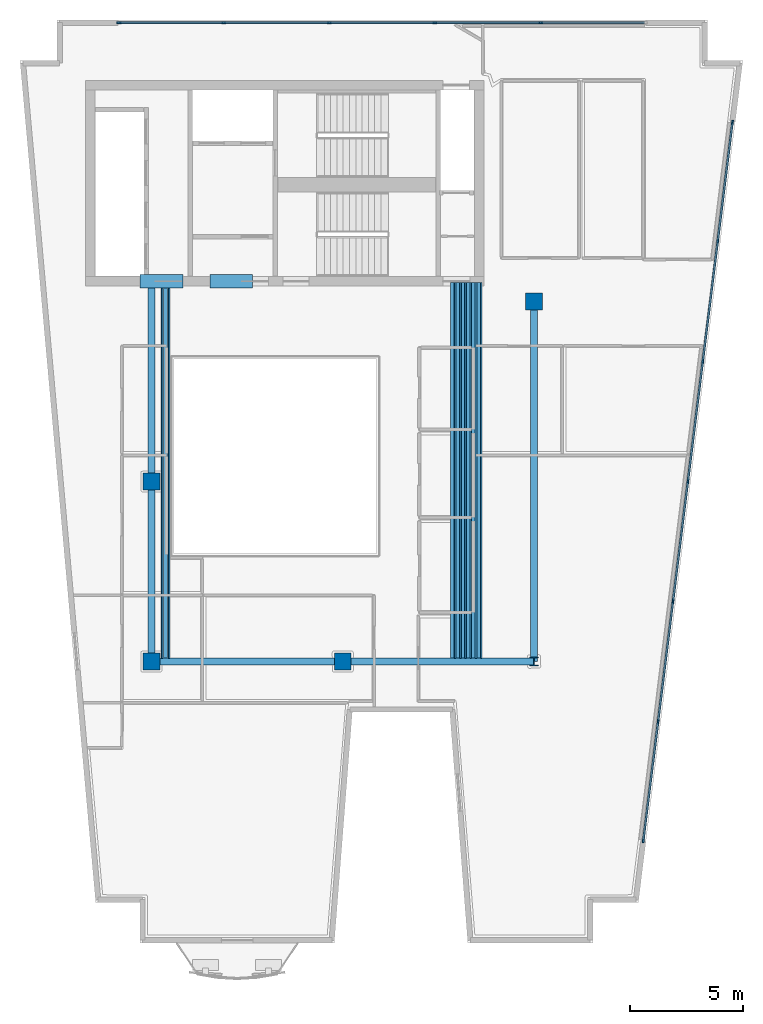
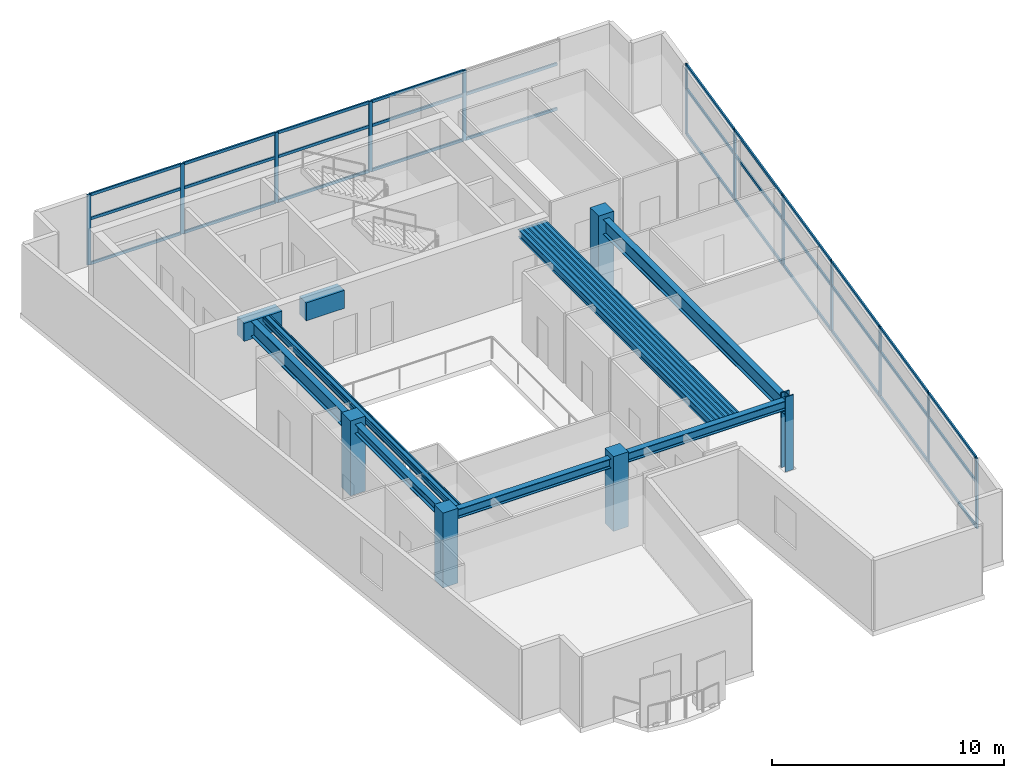
# One storey, part 1 of 8: 44 members, 22 beams, 5 columns, 2 elements without a shape of their own.
"""IFC4 building model written with IfcOpenShell, lengths in metres."""

from ifc_helpers import new_model, si_unit, direction, frame, origin, origin_2d, place, context, subcontext, project, spatial, rectangle, hollow_rectangle, i_section, extrude, material, layer, layer_set, material_profile, profile_set, type_object, element, aggregate, save


model = new_model("IFC4")

# Units and contexts
model_context = context("Model", 3, precision=1e-05, world=origin(), true_north=direction((0.0, 1.0)))
body_context = subcontext(model_context, "Body", "Model", "MODEL_VIEW")
ifc_project = project(units=[si_unit("LENGTHUNIT", "METRE"), si_unit("AREAUNIT", "SQUARE_METRE"), si_unit("VOLUMEUNIT", "CUBIC_METRE"), si_unit("PLANEANGLEUNIT", "RADIAN"), si_unit("MASSUNIT", "GRAM", prefix="KILO")], contexts=[model_context])

# Site, building, storey
site_placement = place(None, origin())
site = spatial("IfcSite", under=ifc_project, at=site_placement, CompositionType="ELEMENT")
building_placement = place(site_placement, origin())
building = spatial("IfcBuilding", under=site, at=building_placement, Name="Caeloran Harvest Quay", CompositionType="ELEMENT")
storey_placement = place(building_placement, frame((0.0, 0.0, 272.5)))
storey = spatial("IfcBuildingStorey", under=building, at=storey_placement, Name="L65", CompositionType="ELEMENT", Elevation=272.5)

# Columns
ifc_material_1 = material(Name="Concrete C60/75", Category="concrete")
ifc_material_profile_1 = material_profile(ifc_material_1, rectangle(XDim=0.75, YDim=0.75, at=origin_2d()), Name="RC 750x750")
ifc_profile_set_1 = profile_set([ifc_material_profile_1], Name="Concrete C60/75")
column_type_1 = type_object("IfcColumnType", Name="COL-MC-5-RC_750x750", PredefinedType="COLUMN", material=ifc_profile_set_1)
for number, where, z_axis, x_axis, name in (
    (1, (8.5, 15.0, 0.0), (0.0, 0.0, 1.0), (1.0, 0.0, 0.0), "L65 Structural Column (8.5, 15.0)"),
    (2, (8.5, 23.0, 0.0), (0.0, 0.0, 1.0), (1.0, 0.0, 0.0), "L65 Structural Column (8.5, 23.0)"),
    (3, (17.0, 15.0, 0.0), (0.0, 0.0, 1.0), (1.0, 0.0, 0.0), "L65 Structural Column (17.0, 15.0)"),
    (4, (25.5, 31.0, 0.0), (0.0, 0.0, 1.0), (1.0, 0.0, 0.0), "L65 Structural Column (25.5, 31.0)"),
):
    element("IfcColumn", number, at=place(storey_placement, frame(where, z_axis=z_axis, x_axis=x_axis)), inside=storey, type_object=column_type_1, Name=name, PredefinedType="COLUMN", context=body_context, shape_type="SweptSolid", body=[
        extrude(rectangle(XDim=0.75, YDim=0.75, at=origin_2d()), origin(), (0.0, 0.0, 1.0), 3.949951171875),
    ])
ifc_material_2 = material(Name="Steel HISTAR 460", Category="steel")
ifc_material_profile_2 = material_profile(ifc_material_2, i_section(OverallWidth=0.406005859375, OverallDepth=0.416015625, WebThickness=0.02978515625, FlangeThickness=0.048095703125, FilletRadius=0.014892578125, at=origin_2d()), Name="HD 400x382")
ifc_profile_set_2 = profile_set([ifc_material_profile_2], Name="Steel HISTAR 460")
column_type_2 = type_object("IfcColumnType", Name="COL-SC-5-HD_400x382", PredefinedType="COLUMN", material=ifc_profile_set_2)
column_placement = place(storey_placement, frame((25.5, 15.0, 0.0), z_axis=(0.0, 0.0, 1.0), x_axis=(1.0, 0.0, 0.0)))
element("IfcColumn", 5, at=column_placement, inside=storey, type_object=column_type_2, Name="L65 Structural Column (25.5, 15.0)", PredefinedType="COLUMN", context=body_context, shape_type="SweptSolid", body=[
    extrude(i_section(OverallWidth=0.406005859375, OverallDepth=0.416015625, WebThickness=0.02978515625, FlangeThickness=0.048095703125, FilletRadius=0.014892578125, at=origin_2d()), origin(), (0.0, 0.0, 1.0), 3.949951171875),
])

# Beams
ifc_material_profile_3 = material_profile(ifc_material_1, rectangle(XDim=0.60009765625, YDim=0.949951171875, at=origin_2d()), Name="RC 600x950")
ifc_profile_set_3 = profile_set([ifc_material_profile_3], Name="Concrete C60/75")
beam_type_1 = type_object("IfcBeamType", Name="BM-CB-2-RC_600x950", PredefinedType="LINTEL", material=ifc_profile_set_3)
for number, where, z_axis, x_axis, name in (
    (6, (8.0, 31.889892578125, 3.22509765625), (1.0, 0.0, 0.0), (0.0, 1.0, 0.0), "L65 Core Coupling Beam 1"),
    (7, (11.10009765625, 31.889892578125, 3.22509765625), (1.0, 0.0, 0.0), (0.0, 1.0, 0.0), "L65 Core Coupling Beam 2"),
):
    element("IfcBeam", number, at=place(storey_placement, frame(where, z_axis=z_axis, x_axis=x_axis)), inside=storey, type_object=beam_type_1, Name=name, PredefinedType="LINTEL", context=body_context, shape_type="SweptSolid", body=[
        extrude(rectangle(XDim=0.60009765625, YDim=0.949951171875, at=origin_2d()), origin(), (0.0, 0.0, 1.0), 1.89990234375),
    ])
ifc_material_3 = material(Name="Steel S355J2", Category="steel")
ifc_material_profile_4 = material_profile(ifc_material_3, i_section(OverallWidth=0.300048828125, OverallDepth=0.800048828125, WebThickness=0.017578125, FlangeThickness=0.032958984375, FilletRadius=0.030029296875, at=origin_2d()), Name="HE 800 B")
ifc_profile_set_4 = profile_set([ifc_material_profile_4], Name="Steel S355J2")
beam_type_2 = type_object("IfcBeamType", Name="BM-PG-1-HE_800_B", PredefinedType="BEAM", material=ifc_profile_set_4)
beam_1_placement = place(storey_placement, frame((8.5, 23.0, 3.300048828125), z_axis=(0.0, 1.0, 0.0), x_axis=(-1.0, 0.0, 0.0)))
element("IfcBeam", 8, at=beam_1_placement, inside=storey, type_object=beam_type_2, Name="L65 Core South Tie Girder X=8.5", PredefinedType="BEAM", context=body_context, shape_type="SweptSolid", body=[
    extrude(i_section(OverallWidth=0.300048828125, OverallDepth=0.800048828125, WebThickness=0.017578125, FlangeThickness=0.032958984375, FilletRadius=0.030029296875, at=origin_2d()), origin(), (0.0, 0.0, 1.0), 8.840087890625),
])
beam_2_placement = place(storey_placement, frame((25.5, 15.0, 3.300048828125), z_axis=(0.0, 1.0, 0.0), x_axis=(-1.0, 0.0, 0.0)))
element("IfcBeam", 9, at=beam_2_placement, inside=storey, type_object=beam_type_2, Name="L65 Primary North-South Girder X=25.5", PredefinedType="BEAM", context=body_context, shape_type="SweptSolid", body=[
    extrude(i_section(OverallWidth=0.300048828125, OverallDepth=0.800048828125, WebThickness=0.017578125, FlangeThickness=0.032958984375, FilletRadius=0.030029296875, at=origin_2d()), origin(), (0.0, 0.0, 1.0), 16.0),
])
ifc_material_profile_5 = material_profile(ifc_material_3, i_section(OverallWidth=0.300048828125, OverallDepth=0.5, WebThickness=0.014404296875, FlangeThickness=0.028076171875, FilletRadius=0.027099609375, at=origin_2d()), Name="HE 500 B")
ifc_profile_set_5 = profile_set([ifc_material_profile_5], Name="Steel S355J2")
beam_type_3 = type_object("IfcBeamType", Name="BM-PG-4-HE_500_B", PredefinedType="BEAM", material=ifc_profile_set_5)
for number, where, z_axis, x_axis, name in (
    (10, (8.5, 15.0, 3.449951171875), (1.0, 0.0, 0.0), (0.0, 1.0, 0.0), "L65 Primary East-West Girder Y=15.0"),
    (11, (17.0, 15.0, 3.449951171875), (1.0, 0.0, 0.0), (0.0, 1.0, 0.0), "L65 Primary East-West Girder Y=15.0"),
):
    element("IfcBeam", number, at=place(storey_placement, frame(where, z_axis=z_axis, x_axis=x_axis)), inside=storey, type_object=beam_type_3, Name=name, PredefinedType="BEAM", context=body_context, shape_type="SweptSolid", body=[
        extrude(i_section(OverallWidth=0.300048828125, OverallDepth=0.5, WebThickness=0.014404296875, FlangeThickness=0.028076171875, FilletRadius=0.027099609375, at=origin_2d()), origin(), (0.0, 0.0, 1.0), 8.5),
    ])
beam_3_placement = place(storey_placement, frame((8.5, 15.0, 3.449951171875), z_axis=(0.0, 1.0, 0.0), x_axis=(-1.0, 0.0, 0.0)))
element("IfcBeam", 12, at=beam_3_placement, inside=storey, type_object=beam_type_3, Name="L65 Primary North-South Girder X=8.5", PredefinedType="BEAM", context=body_context, shape_type="SweptSolid", body=[
    extrude(i_section(OverallWidth=0.300048828125, OverallDepth=0.5, WebThickness=0.014404296875, FlangeThickness=0.028076171875, FilletRadius=0.027099609375, at=origin_2d()), origin(), (0.0, 0.0, 1.0), 8.0),
])
ifc_material_profile_6 = material_profile(ifc_material_3, i_section(OverallWidth=0.179931640625, OverallDepth=0.39990234375, WebThickness=0.008544921875, FlangeThickness=0.013427734375, FilletRadius=0.02099609375, at=origin_2d()), Name="IPE 400")
ifc_profile_set_6 = profile_set([ifc_material_profile_6], Name="Steel S355J2")
beam_type_4 = type_object("IfcBeamType", Name="BM-SB-4-IPE_400", PredefinedType="JOIST", material=ifc_profile_set_6)
for number, where, z_axis, x_axis, name in (
    (13, (9.129638671875, 15.14501953125, 3.5), (0.0, 1.0, 0.0), (-1.0, 0.0, 0.0), "L65 Secondary Composite Joist"),
    (14, (21.876708984375, 15.14501953125, 3.5), (0.0, 1.0, 0.0), (-1.0, 0.0, 0.0), "L65 Secondary Composite Joist"),
    (15, (22.10888671875, 15.14501953125, 3.5), (0.0, 1.0, 0.0), (-1.0, 0.0, 0.0), "L65 Secondary Composite Joist"),
    (16, (22.341064453125, 15.14501953125, 3.5), (0.0, 1.0, 0.0), (-1.0, 0.0, 0.0), "L65 Secondary Composite Joist"),
    (17, (22.5732421875, 15.14501953125, 3.5), (0.0, 1.0, 0.0), (-1.0, 0.0, 0.0), "L65 Secondary Composite Joist"),
    (18, (22.8056640625, 15.14501953125, 3.5), (0.0, 1.0, 0.0), (-1.0, 0.0, 0.0), "L65 Secondary Composite Joist"),
    (19, (23.037841796875, 15.14501953125, 3.5), (0.0, 1.0, 0.0), (-1.0, 0.0, 0.0), "L65 Secondary Composite Joist"),
):
    element("IfcBeam", number, at=place(storey_placement, frame(where, z_axis=z_axis, x_axis=x_axis)), inside=storey, type_object=beam_type_4, Name=name, PredefinedType="JOIST", context=body_context, shape_type="SweptSolid", body=[
        extrude(i_section(OverallWidth=0.179931640625, OverallDepth=0.39990234375, WebThickness=0.008544921875, FlangeThickness=0.013427734375, FilletRadius=0.02099609375, at=origin_2d()), origin(), (0.0, 0.0, 1.0), 16.695068359375),
    ])
ifc_material_profile_7 = material_profile(ifc_material_3, hollow_rectangle(XDim=0.080078125, YDim=0.199951171875, WallThickness=0.006103515625, InnerFilletRadius=0.006103515625, OuterFilletRadius=0.009033203125, at=origin_2d()), Name="RHS 200x80x6")
ifc_profile_set_7 = profile_set([ifc_material_profile_7], Name="Steel S355J2")
beam_type_5 = type_object("IfcBeamType", Name="BM-SB-7-RHS_200x80x6", PredefinedType="JOIST", material=ifc_profile_set_7)
for number, where, z_axis, x_axis, name in (
    (20, (8.97216796875, 15.14501953125, 3.60009765625), (0.0, 1.0, 0.0), (-1.0, 0.0, 0.0), "L65 Secondary Composite Joist"),
    (21, (9.287109375, 15.14501953125, 3.60009765625), (0.0, 1.0, 0.0), (-1.0, 0.0, 0.0), "L65 Secondary Composite Joist"),
    (22, (21.992919921875, 15.14501953125, 3.60009765625), (0.0, 1.0, 0.0), (-1.0, 0.0, 0.0), "L65 Secondary Composite Joist"),
    (23, (22.22509765625, 15.14501953125, 3.60009765625), (0.0, 1.0, 0.0), (-1.0, 0.0, 0.0), "L65 Secondary Composite Joist"),
    (24, (22.457275390625, 15.14501953125, 3.60009765625), (0.0, 1.0, 0.0), (-1.0, 0.0, 0.0), "L65 Secondary Composite Joist"),
    (25, (22.689453125, 15.14501953125, 3.60009765625), (0.0, 1.0, 0.0), (-1.0, 0.0, 0.0), "L65 Secondary Composite Joist"),
    (26, (22.921630859375, 15.14501953125, 3.60009765625), (0.0, 1.0, 0.0), (-1.0, 0.0, 0.0), "L65 Secondary Composite Joist"),
    (27, (23.15380859375, 15.14501953125, 3.60009765625), (0.0, 1.0, 0.0), (-1.0, 0.0, 0.0), "L65 Secondary Composite Joist"),
):
    element("IfcBeam", number, at=place(storey_placement, frame(where, z_axis=z_axis, x_axis=x_axis)), inside=storey, type_object=beam_type_5, Name=name, PredefinedType="JOIST", context=body_context, shape_type="SweptSolid", body=[
        extrude(hollow_rectangle(XDim=0.080078125, YDim=0.199951171875, WallThickness=0.006103515625, InnerFilletRadius=0.006103515625, OuterFilletRadius=0.009033203125, at=origin_2d()), origin(), (0.0, 0.0, 1.0), 16.695068359375),
    ])

# Curtain wall, members
ifc_material_4 = material(Name="Aluminium 6063-T6 and Low-E Glazing", Category="aluminium")
ifc_layer = layer(ifc_material_4, 0.219970703125, Name="Aluminium 6063-T6 and Low-E Glazing")
ifc_layer_set = layer_set([ifc_layer], Name="Aluminium 6063-T6 and Low-E Glazing")
curtain_wall_type = type_object("IfcCurtainWallType", Name="CW-SYS-CW-5", PredefinedType="USERDEFINED", material=ifc_layer_set)
curtain_wall_1_placement = place(storey_placement, origin())
curtain_wall_1 = element("IfcCurtainWall", 28, at=curtain_wall_1_placement, inside=storey, type_object=curtain_wall_type, Name="L65 Unitised Curtain Wall CW-5 Run 6", ObjectType="CURTAIN_WALL", PredefinedType="USERDEFINED")
ifc_material_5 = material(Name="Aluminium 6063-T6", Category="aluminium")
ifc_material_profile_8 = material_profile(ifc_material_5, rectangle(XDim=0.080078125, YDim=0.179931640625, at=origin_2d()), Name="CW-MULLION-180")
ifc_profile_set_8 = profile_set([ifc_material_profile_8], Name="Aluminium 6063-T6")
member_type_1 = type_object("IfcMemberType", Name="CW-MULLION-180", PredefinedType="MULLION", material=ifc_profile_set_8)
member_1_placement = place(storey_placement, frame((7.06005859375, 43.3798828125, 0.0), z_axis=(0.0, 0.0, 1.0), x_axis=(0.0, 1.0, 0.0)))
member_1 = element("IfcMember", 29, at=member_1_placement, type_object=member_type_1, Name="CW-5 mullion 1", PredefinedType="MULLION", context=body_context, shape_type="SweptSolid", body=[
    extrude(rectangle(XDim=0.080078125, YDim=0.179931640625, at=origin_2d()), origin(), (0.0, 0.0, 1.0), 3.699951171875),
])
member_2_placement = place(storey_placement, frame((11.7119140625, 43.3798828125, 0.0), z_axis=(0.0, 0.0, 1.0), x_axis=(0.0, 1.0, 0.0)))
member_2 = element("IfcMember", 30, at=member_2_placement, type_object=member_type_1, Name="CW-5 mullion 2", PredefinedType="MULLION", context=body_context, shape_type="SweptSolid", body=[
    extrude(rectangle(XDim=0.080078125, YDim=0.179931640625, at=origin_2d()), origin(), (0.0, 0.0, 1.0), 3.699951171875),
])
member_3_placement = place(storey_placement, frame((16.404052734375, 43.3798828125, 0.0), z_axis=(0.0, 0.0, 1.0), x_axis=(0.0, 1.0, 0.0)))
member_3 = element("IfcMember", 31, at=member_3_placement, type_object=member_type_1, Name="CW-5 mullion 3", PredefinedType="MULLION", context=body_context, shape_type="SweptSolid", body=[
    extrude(rectangle(XDim=0.080078125, YDim=0.179931640625, at=origin_2d()), origin(), (0.0, 0.0, 1.0), 3.699951171875),
])
member_4_placement = place(storey_placement, frame((21.095947265625, 43.3798828125, 0.0), z_axis=(0.0, 0.0, 1.0), x_axis=(0.0, 1.0, 0.0)))
member_4 = element("IfcMember", 32, at=member_4_placement, type_object=member_type_1, Name="CW-5 mullion 4", PredefinedType="MULLION", context=body_context, shape_type="SweptSolid", body=[
    extrude(rectangle(XDim=0.080078125, YDim=0.179931640625, at=origin_2d()), origin(), (0.0, 0.0, 1.0), 3.699951171875),
])
member_5_placement = place(storey_placement, frame((25.7880859375, 43.3798828125, 0.0), z_axis=(0.0, 0.0, 1.0), x_axis=(0.0, 1.0, 0.0)))
member_5 = element("IfcMember", 33, at=member_5_placement, type_object=member_type_1, Name="CW-5 mullion 5", PredefinedType="MULLION", context=body_context, shape_type="SweptSolid", body=[
    extrude(rectangle(XDim=0.080078125, YDim=0.179931640625, at=origin_2d()), origin(), (0.0, 0.0, 1.0), 3.699951171875),
])

curtain_wall_2_placement = place(storey_placement, origin())
curtain_wall_2 = element("IfcCurtainWall", 34, at=curtain_wall_2_placement, inside=storey, type_object=curtain_wall_type, Name="L65 Unitised Curtain Wall CW-5 Run 9", ObjectType="CURTAIN_WALL", PredefinedType="USERDEFINED")
member_6_placement = place(storey_placement, frame((34.315673828125, 38.960205078125, 0.0), z_axis=(0.0, 0.0, 1.0), x_axis=(0.992383054958, -0.123190390176, 0.0)))
member_6 = element("IfcMember", 35, at=member_6_placement, type_object=member_type_1, Name="CW-5 mullion 1", PredefinedType="MULLION", context=body_context, shape_type="SweptSolid", body=[
    extrude(rectangle(XDim=0.080078125, YDim=0.179931640625, at=origin_2d()), origin(), (0.0, 0.0, 1.0), 3.699951171875),
])
member_7_placement = place(storey_placement, frame((33.658447265625, 33.66650390625, 0.0), z_axis=(0.0, 0.0, 1.0), x_axis=(0.992383054958, -0.123190390176, 0.0)))
member_7 = element("IfcMember", 36, at=member_7_placement, type_object=member_type_1, Name="CW-5 mullion 2", PredefinedType="MULLION", context=body_context, shape_type="SweptSolid", body=[
    extrude(rectangle(XDim=0.080078125, YDim=0.179931640625, at=origin_2d()), origin(), (0.0, 0.0, 1.0), 3.699951171875),
])
member_8_placement = place(storey_placement, frame((32.996337890625, 28.333251953125, 0.0), z_axis=(0.0, 0.0, 1.0), x_axis=(0.992383054958, -0.123190390176, 0.0)))
member_8 = element("IfcMember", 37, at=member_8_placement, type_object=member_type_1, Name="CW-5 mullion 3", PredefinedType="MULLION", context=body_context, shape_type="SweptSolid", body=[
    extrude(rectangle(XDim=0.080078125, YDim=0.179931640625, at=origin_2d()), origin(), (0.0, 0.0, 1.0), 3.699951171875),
])
member_9_placement = place(storey_placement, frame((32.334228515625, 23.0, 0.0), z_axis=(0.0, 0.0, 1.0), x_axis=(0.992383054958, -0.123190390176, 0.0)))
member_9 = element("IfcMember", 38, at=member_9_placement, type_object=member_type_1, Name="CW-5 mullion 4", PredefinedType="MULLION", context=body_context, shape_type="SweptSolid", body=[
    extrude(rectangle(XDim=0.080078125, YDim=0.179931640625, at=origin_2d()), origin(), (0.0, 0.0, 1.0), 3.699951171875),
])
member_10_placement = place(storey_placement, frame((31.67236328125, 17.666748046875, 0.0), z_axis=(0.0, 0.0, 1.0), x_axis=(0.992383054958, -0.123190390176, 0.0)))
member_10 = element("IfcMember", 39, at=member_10_placement, type_object=member_type_1, Name="CW-5 mullion 5", PredefinedType="MULLION", context=body_context, shape_type="SweptSolid", body=[
    extrude(rectangle(XDim=0.080078125, YDim=0.179931640625, at=origin_2d()), origin(), (0.0, 0.0, 1.0), 3.699951171875),
])
member_11_placement = place(storey_placement, frame((31.01025390625, 12.33349609375, 0.0), z_axis=(0.0, 0.0, 1.0), x_axis=(0.992383054958, -0.123190390176, 0.0)))
member_11 = element("IfcMember", 40, at=member_11_placement, type_object=member_type_1, Name="CW-5 mullion 6", PredefinedType="MULLION", context=body_context, shape_type="SweptSolid", body=[
    extrude(rectangle(XDim=0.080078125, YDim=0.179931640625, at=origin_2d()), origin(), (0.0, 0.0, 1.0), 3.699951171875),
])
member_12_placement = place(storey_placement, frame((30.35302734375, 7.039794921875, 0.0), z_axis=(0.0, 0.0, 1.0), x_axis=(0.992383054958, -0.123190390176, 0.0)))
member_12 = element("IfcMember", 41, at=member_12_placement, type_object=member_type_1, Name="CW-5 mullion 7", PredefinedType="MULLION", context=body_context, shape_type="SweptSolid", body=[
    extrude(rectangle(XDim=0.080078125, YDim=0.179931640625, at=origin_2d()), origin(), (0.0, 0.0, 1.0), 3.699951171875),
])

# Member
ifc_material_profile_9 = material_profile(ifc_material_5, rectangle(XDim=0.080078125, YDim=0.14990234375, at=origin_2d()), Name="CW-TRANSOM-150")
ifc_profile_set_9 = profile_set([ifc_material_profile_9], Name="Aluminium 6063-T6")
member_type_2 = type_object("IfcMemberType", Name="CW-TRANSOM-150", PredefinedType="USERDEFINED", material=ifc_profile_set_9)
member_13_placement = place(storey_placement, frame((7.10009765625, 43.3798828125, 0.0400390625), z_axis=(1.0, 0.0, 0.0), x_axis=(0.0, 1.0, 0.0)))
member_13 = element("IfcMember", 42, at=member_13_placement, type_object=member_type_2, Name="CW-5 transom 1.1", ObjectType="TRANSOM", PredefinedType="USERDEFINED", context=body_context, shape_type="SweptSolid", body=[
    extrude(rectangle(XDim=0.080078125, YDim=0.14990234375, at=origin_2d()), origin(), (0.0, 0.0, 1.0), 4.572021484375),
])

member_14_placement = place(storey_placement, frame((7.10009765625, 43.3798828125, 2.39990234375), z_axis=(1.0, 0.0, 0.0), x_axis=(0.0, 1.0, 0.0)))
member_14 = element("IfcMember", 43, at=member_14_placement, type_object=member_type_2, Name="CW-5 transom 1.2", ObjectType="TRANSOM", PredefinedType="USERDEFINED", context=body_context, shape_type="SweptSolid", body=[
    extrude(rectangle(XDim=0.080078125, YDim=0.14990234375, at=origin_2d()), origin(), (0.0, 0.0, 1.0), 4.572021484375),
])

member_15_placement = place(storey_placement, frame((7.10009765625, 43.3798828125, 3.659912109375), z_axis=(1.0, 0.0, 0.0), x_axis=(0.0, 1.0, 0.0)))
member_15 = element("IfcMember", 44, at=member_15_placement, type_object=member_type_2, Name="CW-5 transom 1.3", ObjectType="TRANSOM", PredefinedType="USERDEFINED", context=body_context, shape_type="SweptSolid", body=[
    extrude(rectangle(XDim=0.080078125, YDim=0.14990234375, at=origin_2d()), origin(), (0.0, 0.0, 1.0), 4.572021484375),
])

member_16_placement = place(storey_placement, frame((11.751953125, 43.3798828125, 0.0400390625), z_axis=(1.0, 0.0, 0.0), x_axis=(0.0, 1.0, 0.0)))
member_16 = element("IfcMember", 45, at=member_16_placement, type_object=member_type_2, Name="CW-5 transom 2.1", ObjectType="TRANSOM", PredefinedType="USERDEFINED", context=body_context, shape_type="SweptSolid", body=[
    extrude(rectangle(XDim=0.080078125, YDim=0.14990234375, at=origin_2d()), origin(), (0.0, 0.0, 1.0), 4.612060546875),
])

member_17_placement = place(storey_placement, frame((11.751953125, 43.3798828125, 2.39990234375), z_axis=(1.0, 0.0, 0.0), x_axis=(0.0, 1.0, 0.0)))
member_17 = element("IfcMember", 46, at=member_17_placement, type_object=member_type_2, Name="CW-5 transom 2.2", ObjectType="TRANSOM", PredefinedType="USERDEFINED", context=body_context, shape_type="SweptSolid", body=[
    extrude(rectangle(XDim=0.080078125, YDim=0.14990234375, at=origin_2d()), origin(), (0.0, 0.0, 1.0), 4.612060546875),
])

member_18_placement = place(storey_placement, frame((11.751953125, 43.3798828125, 3.659912109375), z_axis=(1.0, 0.0, 0.0), x_axis=(0.0, 1.0, 0.0)))
member_18 = element("IfcMember", 47, at=member_18_placement, type_object=member_type_2, Name="CW-5 transom 2.3", ObjectType="TRANSOM", PredefinedType="USERDEFINED", context=body_context, shape_type="SweptSolid", body=[
    extrude(rectangle(XDim=0.080078125, YDim=0.14990234375, at=origin_2d()), origin(), (0.0, 0.0, 1.0), 4.612060546875),
])

member_19_placement = place(storey_placement, frame((16.444091796875, 43.3798828125, 0.0400390625), z_axis=(1.0, 0.0, 0.0), x_axis=(0.0, 1.0, 0.0)))
member_19 = element("IfcMember", 48, at=member_19_placement, type_object=member_type_2, Name="CW-5 transom 3.1", ObjectType="TRANSOM", PredefinedType="USERDEFINED", context=body_context, shape_type="SweptSolid", body=[
    extrude(rectangle(XDim=0.080078125, YDim=0.14990234375, at=origin_2d()), origin(), (0.0, 0.0, 1.0), 4.61181640625),
])

member_20_placement = place(storey_placement, frame((16.444091796875, 43.3798828125, 2.39990234375), z_axis=(1.0, 0.0, 0.0), x_axis=(0.0, 1.0, 0.0)))
member_20 = element("IfcMember", 49, at=member_20_placement, type_object=member_type_2, Name="CW-5 transom 3.2", ObjectType="TRANSOM", PredefinedType="USERDEFINED", context=body_context, shape_type="SweptSolid", body=[
    extrude(rectangle(XDim=0.080078125, YDim=0.14990234375, at=origin_2d()), origin(), (0.0, 0.0, 1.0), 4.61181640625),
])

member_21_placement = place(storey_placement, frame((16.444091796875, 43.3798828125, 3.659912109375), z_axis=(1.0, 0.0, 0.0), x_axis=(0.0, 1.0, 0.0)))
member_21 = element("IfcMember", 50, at=member_21_placement, type_object=member_type_2, Name="CW-5 transom 3.3", ObjectType="TRANSOM", PredefinedType="USERDEFINED", context=body_context, shape_type="SweptSolid", body=[
    extrude(rectangle(XDim=0.080078125, YDim=0.14990234375, at=origin_2d()), origin(), (0.0, 0.0, 1.0), 4.61181640625),
])

member_22_placement = place(storey_placement, frame((21.135986328125, 43.3798828125, 0.0400390625), z_axis=(1.0, 0.0, 0.0), x_axis=(0.0, 1.0, 0.0)))
member_22 = element("IfcMember", 51, at=member_22_placement, type_object=member_type_2, Name="CW-5 transom 4.1", ObjectType="TRANSOM", PredefinedType="USERDEFINED", context=body_context, shape_type="SweptSolid", body=[
    extrude(rectangle(XDim=0.080078125, YDim=0.14990234375, at=origin_2d()), origin(), (0.0, 0.0, 1.0), 4.612060546875),
])

member_23_placement = place(storey_placement, frame((21.135986328125, 43.3798828125, 2.39990234375), z_axis=(1.0, 0.0, 0.0), x_axis=(0.0, 1.0, 0.0)))
member_23 = element("IfcMember", 52, at=member_23_placement, type_object=member_type_2, Name="CW-5 transom 4.2", ObjectType="TRANSOM", PredefinedType="USERDEFINED", context=body_context, shape_type="SweptSolid", body=[
    extrude(rectangle(XDim=0.080078125, YDim=0.14990234375, at=origin_2d()), origin(), (0.0, 0.0, 1.0), 4.612060546875),
])

member_24_placement = place(storey_placement, frame((21.135986328125, 43.3798828125, 3.659912109375), z_axis=(1.0, 0.0, 0.0), x_axis=(0.0, 1.0, 0.0)))
member_24 = element("IfcMember", 53, at=member_24_placement, type_object=member_type_2, Name="CW-5 transom 4.3", ObjectType="TRANSOM", PredefinedType="USERDEFINED", context=body_context, shape_type="SweptSolid", body=[
    extrude(rectangle(XDim=0.080078125, YDim=0.14990234375, at=origin_2d()), origin(), (0.0, 0.0, 1.0), 4.612060546875),
])

member_25_placement = place(storey_placement, frame((25.827880859375, 43.3798828125, 0.0400390625), z_axis=(1.0, 0.0, 0.0), x_axis=(0.0, 1.0, 0.0)))
member_25 = element("IfcMember", 54, at=member_25_placement, type_object=member_type_2, Name="CW-5 transom 5.1", ObjectType="TRANSOM", PredefinedType="USERDEFINED", context=body_context, shape_type="SweptSolid", body=[
    extrude(rectangle(XDim=0.080078125, YDim=0.14990234375, at=origin_2d()), origin(), (0.0, 0.0, 1.0), 4.572021484375),
])

member_26_placement = place(storey_placement, frame((25.827880859375, 43.3798828125, 2.39990234375), z_axis=(1.0, 0.0, 0.0), x_axis=(0.0, 1.0, 0.0)))
member_26 = element("IfcMember", 55, at=member_26_placement, type_object=member_type_2, Name="CW-5 transom 5.2", ObjectType="TRANSOM", PredefinedType="USERDEFINED", context=body_context, shape_type="SweptSolid", body=[
    extrude(rectangle(XDim=0.080078125, YDim=0.14990234375, at=origin_2d()), origin(), (0.0, 0.0, 1.0), 4.572021484375),
])

aggregate(curtain_wall_1, [member_1, member_2, member_3, member_4, member_5, member_13, member_14, member_15, member_16, member_17, member_18, member_19, member_20, member_21, member_22, member_23, member_24, member_25, member_26])

member_27_placement = place(storey_placement, frame((34.310546875, 38.92041015625, 0.0400390625), z_axis=(-0.123182565602, -0.992384026238, 0.0), x_axis=(0.992384026238, -0.123182565602, 0.0)))
member_27 = element("IfcMember", 56, at=member_27_placement, type_object=member_type_2, Name="CW-5 transom 1.1", ObjectType="TRANSOM", PredefinedType="USERDEFINED", context=body_context, shape_type="SweptSolid", body=[
    extrude(rectangle(XDim=0.080078125, YDim=0.14990234375, at=origin_2d()), origin(), (0.0, 0.0, 1.0), 5.254150390625),
])

member_28_placement = place(storey_placement, frame((34.310546875, 38.92041015625, 2.39990234375), z_axis=(-0.123182565602, -0.992384026238, 0.0), x_axis=(0.992384026238, -0.123182565602, 0.0)))
member_28 = element("IfcMember", 57, at=member_28_placement, type_object=member_type_2, Name="CW-5 transom 1.2", ObjectType="TRANSOM", PredefinedType="USERDEFINED", context=body_context, shape_type="SweptSolid", body=[
    extrude(rectangle(XDim=0.080078125, YDim=0.14990234375, at=origin_2d()), origin(), (0.0, 0.0, 1.0), 5.254150390625),
])

member_29_placement = place(storey_placement, frame((34.310546875, 38.92041015625, 3.659912109375), z_axis=(-0.123182565602, -0.992384026238, 0.0), x_axis=(0.992384026238, -0.123182565602, 0.0)))
member_29 = element("IfcMember", 58, at=member_29_placement, type_object=member_type_2, Name="CW-5 transom 1.3", ObjectType="TRANSOM", PredefinedType="USERDEFINED", context=body_context, shape_type="SweptSolid", body=[
    extrude(rectangle(XDim=0.080078125, YDim=0.14990234375, at=origin_2d()), origin(), (0.0, 0.0, 1.0), 5.254150390625),
])

member_30_placement = place(storey_placement, frame((33.653564453125, 33.626953125, 0.0400390625), z_axis=(-0.12321740526, -0.992379701042, 0.0), x_axis=(0.992379701042, -0.12321740526, 0.0)))
member_30 = element("IfcMember", 59, at=member_30_placement, type_object=member_type_2, Name="CW-5 transom 2.1", ObjectType="TRANSOM", PredefinedType="USERDEFINED", context=body_context, shape_type="SweptSolid", body=[
    extrude(rectangle(XDim=0.080078125, YDim=0.14990234375, at=origin_2d()), origin(), (0.0, 0.0, 1.0), 5.294189453125),
])

member_31_placement = place(storey_placement, frame((33.653564453125, 33.626953125, 2.39990234375), z_axis=(-0.12321740526, -0.992379701042, 0.0), x_axis=(0.992379701042, -0.12321740526, 0.0)))
member_31 = element("IfcMember", 60, at=member_31_placement, type_object=member_type_2, Name="CW-5 transom 2.2", ObjectType="TRANSOM", PredefinedType="USERDEFINED", context=body_context, shape_type="SweptSolid", body=[
    extrude(rectangle(XDim=0.080078125, YDim=0.14990234375, at=origin_2d()), origin(), (0.0, 0.0, 1.0), 5.294189453125),
])

member_32_placement = place(storey_placement, frame((33.653564453125, 33.626953125, 3.659912109375), z_axis=(-0.12321740526, -0.992379701042, 0.0), x_axis=(0.992379701042, -0.12321740526, 0.0)))
member_32 = element("IfcMember", 61, at=member_32_placement, type_object=member_type_2, Name="CW-5 transom 2.3", ObjectType="TRANSOM", PredefinedType="USERDEFINED", context=body_context, shape_type="SweptSolid", body=[
    extrude(rectangle(XDim=0.080078125, YDim=0.14990234375, at=origin_2d()), origin(), (0.0, 0.0, 1.0), 5.294189453125),
])

member_33_placement = place(storey_placement, frame((32.991455078125, 28.29345703125, 0.0400390625), z_axis=(-0.123177627733, -0.992384639153, 0.0), x_axis=(0.992384639153, -0.123177627733, 0.0)))
member_33 = element("IfcMember", 62, at=member_33_placement, type_object=member_type_2, Name="CW-5 transom 3.1", ObjectType="TRANSOM", PredefinedType="USERDEFINED", context=body_context, shape_type="SweptSolid", body=[
    extrude(rectangle(XDim=0.080078125, YDim=0.14990234375, at=origin_2d()), origin(), (0.0, 0.0, 1.0), 5.2939453125),
])

member_34_placement = place(storey_placement, frame((32.991455078125, 28.29345703125, 2.39990234375), z_axis=(-0.123177627733, -0.992384639153, 0.0), x_axis=(0.992384639153, -0.123177627733, 0.0)))
member_34 = element("IfcMember", 63, at=member_34_placement, type_object=member_type_2, Name="CW-5 transom 3.2", ObjectType="TRANSOM", PredefinedType="USERDEFINED", context=body_context, shape_type="SweptSolid", body=[
    extrude(rectangle(XDim=0.080078125, YDim=0.14990234375, at=origin_2d()), origin(), (0.0, 0.0, 1.0), 5.2939453125),
])

member_35_placement = place(storey_placement, frame((32.991455078125, 28.29345703125, 3.659912109375), z_axis=(-0.123177627733, -0.992384639153, 0.0), x_axis=(0.992384639153, -0.123177627733, 0.0)))
member_35 = element("IfcMember", 64, at=member_35_placement, type_object=member_type_2, Name="CW-5 transom 3.3", ObjectType="TRANSOM", PredefinedType="USERDEFINED", context=body_context, shape_type="SweptSolid", body=[
    extrude(rectangle(XDim=0.080078125, YDim=0.14990234375, at=origin_2d()), origin(), (0.0, 0.0, 1.0), 5.2939453125),
])

member_36_placement = place(storey_placement, frame((32.329345703125, 22.960205078125, 0.0400390625), z_axis=(-0.123177627733, -0.992384639153, 0.0), x_axis=(0.992384639153, -0.123177627733, 0.0)))
member_36 = element("IfcMember", 65, at=member_36_placement, type_object=member_type_2, Name="CW-5 transom 4.1", ObjectType="TRANSOM", PredefinedType="USERDEFINED", context=body_context, shape_type="SweptSolid", body=[
    extrude(rectangle(XDim=0.080078125, YDim=0.14990234375, at=origin_2d()), origin(), (0.0, 0.0, 1.0), 5.2939453125),
])

member_37_placement = place(storey_placement, frame((32.329345703125, 22.960205078125, 2.39990234375), z_axis=(-0.123177627733, -0.992384639153, 0.0), x_axis=(0.992384639153, -0.123177627733, 0.0)))
member_37 = element("IfcMember", 66, at=member_37_placement, type_object=member_type_2, Name="CW-5 transom 4.2", ObjectType="TRANSOM", PredefinedType="USERDEFINED", context=body_context, shape_type="SweptSolid", body=[
    extrude(rectangle(XDim=0.080078125, YDim=0.14990234375, at=origin_2d()), origin(), (0.0, 0.0, 1.0), 5.2939453125),
])

member_38_placement = place(storey_placement, frame((32.329345703125, 22.960205078125, 3.659912109375), z_axis=(-0.123177627733, -0.992384639153, 0.0), x_axis=(0.992384639153, -0.123177627733, 0.0)))
member_38 = element("IfcMember", 67, at=member_38_placement, type_object=member_type_2, Name="CW-5 transom 4.3", ObjectType="TRANSOM", PredefinedType="USERDEFINED", context=body_context, shape_type="SweptSolid", body=[
    extrude(rectangle(XDim=0.080078125, YDim=0.14990234375, at=origin_2d()), origin(), (0.0, 0.0, 1.0), 5.2939453125),
])

member_39_placement = place(storey_placement, frame((31.66748046875, 17.626953125, 0.0400390625), z_axis=(-0.12321740526, -0.992379701042, 0.0), x_axis=(0.992379701042, -0.12321740526, 0.0)))
member_39 = element("IfcMember", 68, at=member_39_placement, type_object=member_type_2, Name="CW-5 transom 5.1", ObjectType="TRANSOM", PredefinedType="USERDEFINED", context=body_context, shape_type="SweptSolid", body=[
    extrude(rectangle(XDim=0.080078125, YDim=0.14990234375, at=origin_2d()), origin(), (0.0, 0.0, 1.0), 5.294189453125),
])

member_40_placement = place(storey_placement, frame((31.66748046875, 17.626953125, 2.39990234375), z_axis=(-0.12321740526, -0.992379701042, 0.0), x_axis=(0.992379701042, -0.12321740526, 0.0)))
member_40 = element("IfcMember", 69, at=member_40_placement, type_object=member_type_2, Name="CW-5 transom 5.2", ObjectType="TRANSOM", PredefinedType="USERDEFINED", context=body_context, shape_type="SweptSolid", body=[
    extrude(rectangle(XDim=0.080078125, YDim=0.14990234375, at=origin_2d()), origin(), (0.0, 0.0, 1.0), 5.294189453125),
])

member_41_placement = place(storey_placement, frame((31.66748046875, 17.626953125, 3.659912109375), z_axis=(-0.12321740526, -0.992379701042, 0.0), x_axis=(0.992379701042, -0.12321740526, 0.0)))
member_41 = element("IfcMember", 70, at=member_41_placement, type_object=member_type_2, Name="CW-5 transom 5.3", ObjectType="TRANSOM", PredefinedType="USERDEFINED", context=body_context, shape_type="SweptSolid", body=[
    extrude(rectangle(XDim=0.080078125, YDim=0.14990234375, at=origin_2d()), origin(), (0.0, 0.0, 1.0), 5.294189453125),
])

member_42_placement = place(storey_placement, frame((31.00537109375, 12.293701171875, 0.0400390625), z_axis=(-0.123182565602, -0.992384026238, 0.0), x_axis=(0.992384026238, -0.123182565602, 0.0)))
member_42 = element("IfcMember", 71, at=member_42_placement, type_object=member_type_2, Name="CW-5 transom 6.1", ObjectType="TRANSOM", PredefinedType="USERDEFINED", context=body_context, shape_type="SweptSolid", body=[
    extrude(rectangle(XDim=0.080078125, YDim=0.14990234375, at=origin_2d()), origin(), (0.0, 0.0, 1.0), 5.254150390625),
])

member_43_placement = place(storey_placement, frame((31.00537109375, 12.293701171875, 2.39990234375), z_axis=(-0.123182565602, -0.992384026238, 0.0), x_axis=(0.992384026238, -0.123182565602, 0.0)))
member_43 = element("IfcMember", 72, at=member_43_placement, type_object=member_type_2, Name="CW-5 transom 6.2", ObjectType="TRANSOM", PredefinedType="USERDEFINED", context=body_context, shape_type="SweptSolid", body=[
    extrude(rectangle(XDim=0.080078125, YDim=0.14990234375, at=origin_2d()), origin(), (0.0, 0.0, 1.0), 5.254150390625),
])

member_44_placement = place(storey_placement, frame((31.00537109375, 12.293701171875, 3.659912109375), z_axis=(-0.123182565602, -0.992384026238, 0.0), x_axis=(0.992384026238, -0.123182565602, 0.0)))
member_44 = element("IfcMember", 73, at=member_44_placement, type_object=member_type_2, Name="CW-5 transom 6.3", ObjectType="TRANSOM", PredefinedType="USERDEFINED", context=body_context, shape_type="SweptSolid", body=[
    extrude(rectangle(XDim=0.080078125, YDim=0.14990234375, at=origin_2d()), origin(), (0.0, 0.0, 1.0), 5.254150390625),
])

aggregate(curtain_wall_2, [member_6, member_7, member_8, member_9, member_10, member_11, member_12, member_27, member_28, member_29, member_30, member_31, member_32, member_33, member_34, member_35, member_36, member_37, member_38, member_39, member_40, member_41, member_42, member_43, member_44])

save(model, "model.ifc")
